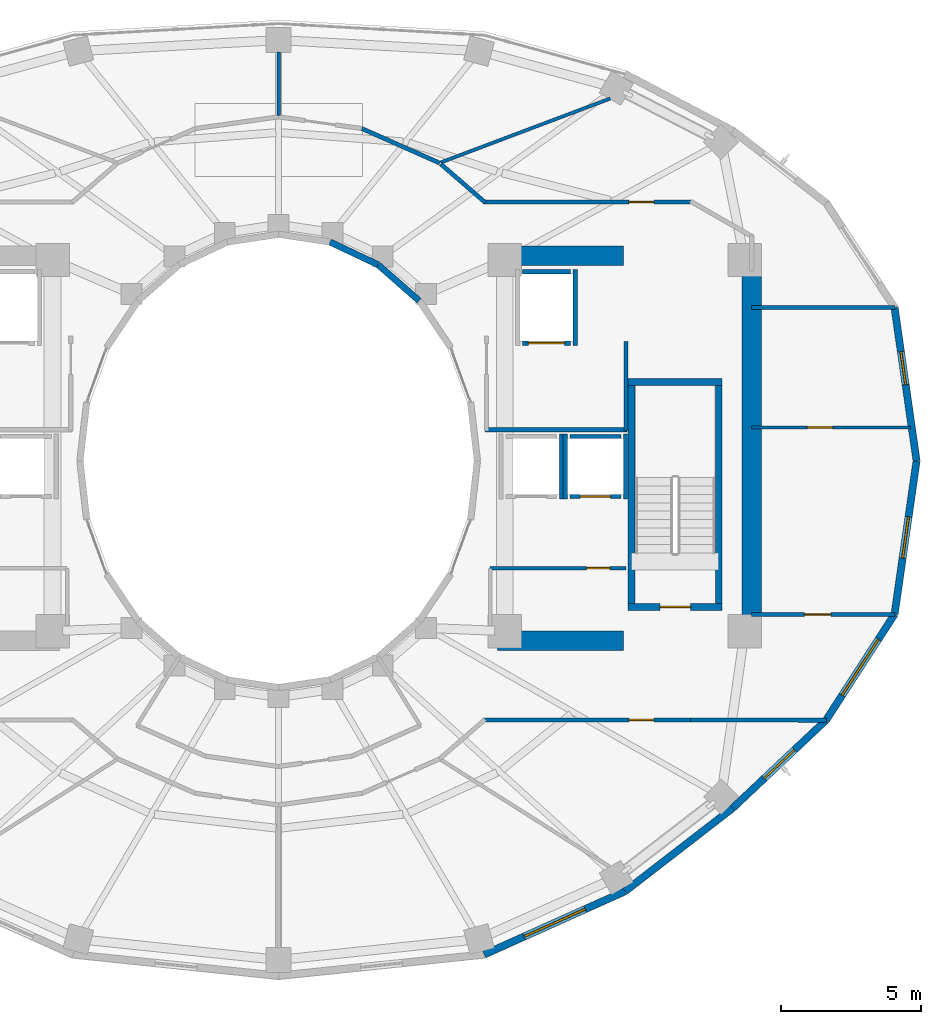
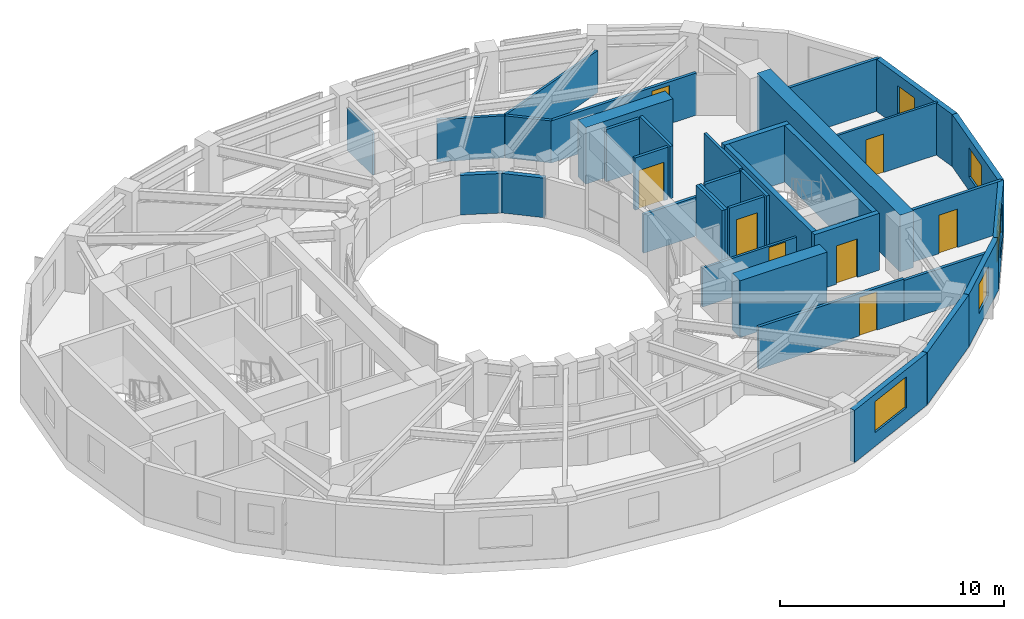
# One storey, part 16 of 20: 36 walls, 8 doors, 5 windows, 13 openings.
"""IFC4 building model written with IfcOpenShell, lengths in metres."""

from ifc_helpers import new_model, si_unit, direction, frame, frame_2d, origin, place, context, subcontext, project, spatial, rectangle, extrude, material, layer, layer_set, type_object, element, fill, save


model = new_model("IFC4")

# Units and contexts
model_context = context("Model", 3, precision=1e-05, world=origin(), true_north=direction((0.0, 1.0)))
body_context = subcontext(model_context, "Body", "Model", "MODEL_VIEW")
ifc_project = project(units=[si_unit("LENGTHUNIT", "METRE"), si_unit("AREAUNIT", "SQUARE_METRE"), si_unit("VOLUMEUNIT", "CUBIC_METRE"), si_unit("PLANEANGLEUNIT", "RADIAN"), si_unit("MASSUNIT", "GRAM", prefix="KILO")], contexts=[model_context])

# Site, building, storey
site_placement = place(None, origin())
site = spatial("IfcSite", under=ifc_project, at=site_placement, CompositionType="ELEMENT")
building_placement = place(site_placement, origin())
building = spatial("IfcBuilding", under=site, at=building_placement, Name="Solvane Sanctuary Tower", CompositionType="ELEMENT")
storey_placement = place(building_placement, frame((0.0, 0.0, 137.39990234375)))
storey = spatial("IfcBuildingStorey", under=building, at=storey_placement, Name="L41", CompositionType="ELEMENT", Elevation=137.39990234375)

# Walls
ifc_material_1 = material(Name="Concrete C60/75", Category="concrete")
ifc_layer_1 = layer(ifc_material_1, 0.699951171875, Name="Concrete C60/75")
ifc_layer_set_1 = layer_set([ifc_layer_1], Name="Concrete C60/75")
wall_type_1 = type_object("IfcWallType", Name="Wall W-CORE-700", PredefinedType="SHEAR", material=ifc_layer_set_1)
wall_1_placement = place(storey_placement, frame((48.949951171875, 17.050048828125, 0.0), z_axis=(0.0, 0.0, 1.0), x_axis=(0.0, 1.0, 0.0)))
element("IfcWall", 1, at=wall_1_placement, inside=storey, type_object=wall_type_1, Name="L41 Core Shear Wall EC-E", PredefinedType="SHEAR", context=body_context, shape_type="SweptSolid", body=[
    extrude(rectangle(XDim=12.800048828125, YDim=0.699951171875, at=frame_2d((6.39990234375, 0.0))), origin(), (0.0, 0.0, 1.0), 3.10009765625),
])
for number, where, z_axis, x_axis, name in (
    (2, (39.85009765625, 16.550048828125, 0.0), (0.0, 0.0, 1.0), (1.0, 0.0, 0.0), "L41 Core Shear Wall EC-S"),
    (3, (39.85009765625, 30.35009765625, 0.0), (0.0, 0.0, 1.0), (1.0, 0.0, 0.0), "L41 Core Shear Wall EC-N"),
):
    element("IfcWall", number, at=place(storey_placement, frame(where, z_axis=z_axis, x_axis=x_axis)), inside=storey, type_object=wall_type_1, Name=name, PredefinedType="SHEAR", context=body_context, shape_type="SweptSolid", body=[
        extrude(rectangle(XDim=4.5, YDim=0.699951171875, at=frame_2d((2.25, 0.0))), origin(), (0.0, 0.0, 1.0), 3.10009765625),
    ])
ifc_material_2 = material(Name="Acoustic Gypsum Partition Board")
ifc_layer_2 = layer(ifc_material_2, 0.14990234375, Name="Acoustic Gypsum Partition Board")
ifc_layer_set_2 = layer_set([ifc_layer_2], Name="Acoustic Gypsum Partition Board")
wall_type_2 = type_object("IfcWallType", Name="Wall W-CORR-150", PredefinedType="PARTITIONING", material=ifc_layer_set_2)
wall_2_placement = place(storey_placement, frame((39.39990234375, 24.1201171875, 0.0), z_axis=(0.0, 0.0, 1.0), x_axis=(1.0, 0.0, 0.0)))
element("IfcWall", 4, at=wall_2_placement, inside=storey, type_object=wall_type_2, Name="L41 East Firefighting Lobby South Wall", PredefinedType="PARTITIONING", context=body_context, shape_type="SweptSolid", body=[
    extrude(rectangle(XDim=5.080078125, YDim=0.14990234375, at=frame_2d((2.5400390625, 0.0))), origin(), (0.0, 0.0, 1.0), 2.1201171875),
])
wall_3_placement = place(storey_placement, frame((44.449951171875, 24.080078125, 0.0), z_axis=(0.0, 0.0, 1.0), x_axis=(0.0, 1.0, 0.0)))
element("IfcWall", 5, at=wall_3_placement, inside=storey, type_object=wall_type_2, Name="L41 East Firefighting Lobby East Wall", PredefinedType="PARTITIONING", context=body_context, shape_type="SweptSolid", body=[
    extrude(rectangle(XDim=3.199951171875, YDim=0.14990234375, at=frame_2d((1.60009765625, 0.0))), origin(), (0.0, 0.0, 1.0), 2.85498046875),
])

# Wall, opening, door
wall_4_placement = place(storey_placement, frame((48.949951171875, 17.4970703125, 0.0), z_axis=(0.0, 0.0, 1.0), x_axis=(1.0, 0.0, 0.0)))
wall_4 = element("IfcWall", 6, at=wall_4_placement, inside=storey, type_object=wall_type_2, Name="L41 East Shoulder South Wall", PredefinedType="PARTITIONING", context=body_context, shape_type="SweptSolid", body=[
    extrude(rectangle(XDim=5.14013671875, YDim=0.14990234375, at=frame_2d((2.570068359375, 0.0))), origin(), (0.0, 0.0, 1.0), 2.85498046875),
])
opening_1_placement = place(wall_4_placement, frame((1.888671875, 0.0, 0.0)))
opening_1 = element("IfcOpeningElement", 7, at=opening_1_placement, cuts=wall_4, Name="Opening D-L41-09", PredefinedType="OPENING", context=body_context, shape_type="SweptSolid", body=[
    extrude(rectangle(XDim=0.949951171875, YDim=2.10009765625, at=frame_2d((0.47509765625, 1.050048828125))), frame((0.0, 0.0849609375, 0.0), z_axis=(0.0, -1.0, 0.0), x_axis=(1.0, 0.0, 0.0)), (0.0, 0.0, 1.0), 0.169921875),
])
ifc_material_3 = material(Name="Engineered Tropical Hardwood", Category="wood")
door_type_1 = type_object("IfcDoorType", Name="Door D-ROOM-950", OperationType="NOTDEFINED", PredefinedType="DOOR", material=ifc_material_3)
door_1_placement = place(opening_1_placement, origin())
door_1 = element("IfcDoor", 8, at=door_1_placement, inside=storey, type_object=door_type_1, Name="L41 East Shoulder South Door", OperationType="SINGLE_SWING_LEFT", OverallHeight=2.10009765625, OverallWidth=0.949951171875, PredefinedType="DOOR", context=body_context, shape_type="SweptSolid", body=[
    extrude(rectangle(XDim=0.949951171875, YDim=2.10009765625, at=frame_2d((0.47509765625, 1.050048828125))), frame((0.0, 0.02490234375, 0.0), z_axis=(0.0, -1.0, 0.0), x_axis=(1.0, 0.0, 0.0)), (0.0, 0.0, 1.0), 0.050048828125),
])
fill(opening_1, door_1)

# Walls
wall_5_placement = place(storey_placement, frame((48.949951171875, 28.5029296875, 0.0), z_axis=(0.0, 0.0, 1.0), x_axis=(1.0, 0.0, 0.0)))
element("IfcWall", 9, at=wall_5_placement, inside=storey, type_object=wall_type_2, Name="L41 East Shoulder North Wall", PredefinedType="PARTITIONING", context=body_context, shape_type="SweptSolid", body=[
    extrude(rectangle(XDim=5.14013671875, YDim=0.14990234375, at=frame_2d((2.570068359375, 0.0))), origin(), (0.0, 0.0, 1.0), 2.85498046875),
])
wall_6_placement = place(storey_placement, frame((37.806640625, 33.64208984375, 0.0), z_axis=(0.0, 0.0, 1.0), x_axis=(0.756055312247, -0.654507727092, 0.0)))
element("IfcWall", 10, at=wall_6_placement, inside=storey, type_object=wall_type_2, Name="L41 NE Corner Throat Wall", PredefinedType="PARTITIONING", context=body_context, shape_type="SweptSolid", body=[
    extrude(rectangle(XDim=2.11083984375, YDim=0.14990234375, at=frame_2d((1.055419921875, 0.0))), origin(), (0.0, 0.0, 1.0), 2.299072265625),
])

# Wall, opening, door
wall_7_placement = place(storey_placement, frame((39.330078125, 32.280029296875, 0.0), z_axis=(0.0, 0.0, 1.0), x_axis=(1.0, 0.0, 0.0)))
wall_7 = element("IfcWall", 11, at=wall_7_placement, inside=storey, type_object=wall_type_2, Name="L41 NE Corner Corridor Wall", PredefinedType="PARTITIONING", context=body_context, shape_type="SweptSolid", body=[
    extrude(rectangle(XDim=7.52001953125, YDim=0.14990234375, at=frame_2d((3.760009765625, 0.0))), origin(), (0.0, 0.0, 1.0), 2.299072265625),
])
opening_2_placement = place(wall_7_placement, frame((5.219970703125, 0.0, 0.0)))
opening_2 = element("IfcOpeningElement", 12, at=opening_2_placement, cuts=wall_7, Name="Opening D-L41-11", PredefinedType="OPENING", context=body_context, shape_type="SweptSolid", body=[
    extrude(rectangle(XDim=0.89990234375, YDim=2.10009765625, at=frame_2d((0.449951171875, 1.050048828125))), frame((0.0, 0.0849609375, 0.0), z_axis=(0.0, -1.0, 0.0), x_axis=(1.0, 0.0, 0.0)), (0.0, 0.0, 1.0), 0.169921875),
])
door_type_2 = type_object("IfcDoorType", Name="Door D-WET-900", OperationType="NOTDEFINED", PredefinedType="DOOR", material=ifc_material_3)
door_2_placement = place(opening_2_placement, origin())
door_2 = element("IfcDoor", 13, at=door_2_placement, inside=storey, type_object=door_type_2, Name="L41 NE Corner Salon Door", OperationType="SINGLE_SWING_LEFT", OverallHeight=2.10009765625, OverallWidth=0.89990234375, PredefinedType="DOOR", context=body_context, shape_type="SweptSolid", body=[
    extrude(rectangle(XDim=0.89990234375, YDim=2.10009765625, at=frame_2d((0.449951171875, 1.050048828125))), frame((0.0, 0.02490234375, 0.0), z_axis=(0.0, -1.0, 0.0), x_axis=(1.0, 0.0, 0.0)), (0.0, 0.0, 1.0), 0.050048828125),
])
fill(opening_2, door_2)

wall_8_placement = place(storey_placement, frame((39.330078125, 13.719970703125, 0.0), z_axis=(0.0, 0.0, 1.0), x_axis=(1.0, 0.0, 0.0)))
wall_8 = element("IfcWall", 14, at=wall_8_placement, inside=storey, type_object=wall_type_2, Name="L41 SE Corner Corridor Wall", PredefinedType="PARTITIONING", context=body_context, shape_type="SweptSolid", body=[
    extrude(rectangle(XDim=7.52001953125, YDim=0.14990234375, at=frame_2d((3.760009765625, 0.0))), origin(), (0.0, 0.0, 1.0), 2.299072265625),
])
opening_3_placement = place(wall_8_placement, frame((5.219970703125, 0.0, 0.0)))
opening_3 = element("IfcOpeningElement", 15, at=opening_3_placement, cuts=wall_8, Name="Opening D-L41-16", PredefinedType="OPENING", context=body_context, shape_type="SweptSolid", body=[
    extrude(rectangle(XDim=0.89990234375, YDim=2.10009765625, at=frame_2d((0.449951171875, 1.050048828125))), frame((0.0, 0.0849609375, 0.0), z_axis=(0.0, -1.0, 0.0), x_axis=(1.0, 0.0, 0.0)), (0.0, 0.0, 1.0), 0.169921875),
])
door_3_placement = place(opening_3_placement, origin())
door_3 = element("IfcDoor", 16, at=door_3_placement, inside=storey, type_object=door_type_2, Name="L41 SE Corner Salon Door", OperationType="SINGLE_SWING_RIGHT", OverallHeight=2.10009765625, OverallWidth=0.89990234375, PredefinedType="DOOR", context=body_context, shape_type="SweptSolid", body=[
    extrude(rectangle(XDim=0.89990234375, YDim=2.10009765625, at=frame_2d((0.449951171875, 1.050048828125))), frame((0.0, 0.02490234375, 0.0), z_axis=(0.0, -1.0, 0.0), x_axis=(1.0, 0.0, 0.0)), (0.0, 0.0, 1.0), 0.050048828125),
])
fill(opening_3, door_3)

# Walls
wall_9_placement = place(storey_placement, frame((46.75, 13.72021484375, 0.0), z_axis=(0.0, 0.0, 1.0), x_axis=(0.999997122315, -0.00239903348, 0.0)))
element("IfcWall", 17, at=wall_9_placement, inside=storey, type_object=wall_type_2, Name="L41 SE Corner Wing Wall", PredefinedType="PARTITIONING", context=body_context, shape_type="SweptSolid", body=[
    extrude(rectangle(XDim=4.884765625, YDim=0.14990234375, at=frame_2d((2.4423828125, 0.0))), origin(), (0.0, 0.0, 1.0), 2.22021484375),
])
wall_10_placement = place(storey_placement, frame((37.77197265625, 33.673828125, 0.0), z_axis=(0.0, 0.0, 1.0), x_axis=(-0.914216890927, 0.405225216815, 0.0)))
element("IfcWall", 18, at=wall_10_placement, inside=storey, type_object=wall_type_2, Name="L41 Sky Promenade Corridor Wall N1", PredefinedType="PARTITIONING", context=body_context, shape_type="SweptSolid", body=[
    extrude(rectangle(XDim=3.051513671875, YDim=0.14990234375, at=frame_2d((1.52587890625, 0.0))), origin(), (0.0, 0.0, 1.0), 2.299072265625),
])

# Wall, opening, window
ifc_material_4 = material(Name="Precast concrete C40/50", Category="concrete")
ifc_layer_3 = layer(ifc_material_4, 0.260009765625, Name="Precast concrete C40/50")
ifc_layer_set_3 = layer_set([ifc_layer_3], Name="Precast concrete C40/50")
wall_type_3 = type_object("IfcWallType", Name="Wall W-EXT-250", PredefinedType="STANDARD", material=ifc_layer_set_3)
wall_11_placement = place(storey_placement, frame((54.860107421875, 23.0, 0.0), z_axis=(0.0, 0.0, 1.0), x_axis=(-0.142227632286, 0.989833976288, 0.0)))
wall_11 = element("IfcWall", 19, at=wall_11_placement, inside=storey, type_object=wall_type_3, Name="L41 Ceramic-Printed Facade Wall 00", PredefinedType="STANDARD", context=body_context, shape_type="SweptSolid", body=[
    extrude(rectangle(XDim=5.552978515625, YDim=0.260009765625, at=frame_2d((2.7763671875, 0.0))), origin(), (0.0, 0.0, 1.0), 2.85009765625),
])
opening_4_placement = place(wall_11_placement, frame((2.757568359375, 0.0, 0.75)))
opening_4 = element("IfcOpeningElement", 20, at=opening_4_placement, cuts=wall_11, Name="Opening WN-OPER-1200", PredefinedType="OPENING", context=body_context, shape_type="SweptSolid", body=[
    extrude(rectangle(XDim=1.199951171875, YDim=1.5, at=frame_2d((0.60009765625, 0.75))), frame((0.0, 0.139892578125, 0.0), z_axis=(0.0, -1.0, 0.0), x_axis=(1.0, 0.0, 0.0)), (0.0, 0.0, 1.0), 0.280029296875),
])
ifc_material_5 = material(Name="Dark Ceramic-Fritted Low-E Glass", Category="glass")
window_type_1 = type_object("IfcWindowType", Name="Window WN-OPER-1200", PartitioningType="SINGLE_PANEL", PredefinedType="WINDOW", material=ifc_material_5)
window_1_placement = place(opening_4_placement, origin())
window_1 = element("IfcWindow", 21, at=window_1_placement, inside=storey, type_object=window_type_1, Name="L41 Operable Facade Window 00", OverallHeight=1.5, OverallWidth=1.199951171875, PartitioningType="SINGLE_PANEL", PredefinedType="WINDOW", context=body_context, shape_type="SweptSolid", body=[
    extrude(rectangle(XDim=1.199951171875, YDim=1.5, at=frame_2d((0.60009765625, 0.75))), frame((0.0, 0.030029296875, 0.0), z_axis=(0.0, -1.0, 0.0), x_axis=(1.0, 0.0, 0.0)), (0.0, 0.0, 1.0), 0.06005859375),
])
fill(opening_4, window_1)

wall_12_placement = place(storey_placement, frame((39.365234375, 5.3154296875, 0.0), z_axis=(0.0, 0.0, 1.0), x_axis=(0.912353637112, 0.409403029847, 0.0)))
wall_12 = element("IfcWall", 22, at=wall_12_placement, inside=storey, type_object=wall_type_3, Name="L41 Ceramic-Printed Facade Wall 19", PredefinedType="STANDARD", context=body_context, shape_type="SweptSolid", body=[
    extrude(rectangle(XDim=5.53271484375, YDim=0.260009765625, at=frame_2d((2.766357421875, 0.0))), origin(), (0.0, 0.0, 1.0), 2.85009765625),
])
opening_5_placement = place(wall_12_placement, frame((1.56640625, 0.0, 0.75)))
opening_5 = element("IfcOpeningElement", 23, at=opening_5_placement, cuts=wall_12, Name="Opening WN-RIB-2400", PredefinedType="OPENING", context=body_context, shape_type="SweptSolid", body=[
    extrude(rectangle(XDim=2.39990234375, YDim=1.699951171875, at=frame_2d((1.199951171875, 0.85009765625))), frame((0.0, 0.139892578125, 0.0), z_axis=(0.0, -1.0, 0.0), x_axis=(1.0, 0.0, 0.0)), (0.0, 0.0, 1.0), 0.280029296875),
])
window_type_2 = type_object("IfcWindowType", Name="Window WN-RIB-2400", PartitioningType="SINGLE_PANEL", PredefinedType="WINDOW", material=ifc_material_5)
window_2_placement = place(opening_5_placement, origin())
window_2 = element("IfcWindow", 24, at=window_2_placement, inside=storey, type_object=window_type_2, Name="L41 Operable Facade Window 19", OverallHeight=1.699951171875, OverallWidth=2.39990234375, PartitioningType="SINGLE_PANEL", PredefinedType="WINDOW", context=body_context, shape_type="SweptSolid", body=[
    extrude(rectangle(XDim=2.39990234375, YDim=1.699951171875, at=frame_2d((1.199951171875, 0.85009765625))), frame((0.0, 0.030029296875, 0.0), z_axis=(0.0, -1.0, 0.0), x_axis=(1.0, 0.0, 0.0)), (0.0, 0.0, 1.0), 0.06005859375),
])
fill(opening_5, window_2)

# Wall
wall_13_placement = place(storey_placement, frame((44.4130859375, 7.58056640625, 0.0), z_axis=(0.0, 0.0, 1.0), x_axis=(0.791460185804, 0.611220724687, 0.0)))
element("IfcWall", 25, at=wall_13_placement, inside=storey, type_object=wall_type_3, Name="L41 Ceramic-Printed Facade Wall 20", PredefinedType="STANDARD", context=body_context, shape_type="SweptSolid", body=[
    extrude(rectangle(XDim=4.872314453125, YDim=0.260009765625, at=frame_2d((2.43603515625, 0.0))), origin(), (0.0, 0.0, 1.0), 2.85009765625),
])

# Wall, opening, window
wall_14_placement = place(storey_placement, frame((48.269287109375, 10.55859375, 0.0), z_axis=(0.0, 0.0, 1.0), x_axis=(0.727667301037, 0.68593024354, 0.0)))
wall_14 = element("IfcWall", 26, at=wall_14_placement, inside=storey, type_object=wall_type_3, Name="L41 Ceramic-Printed Facade Wall 21", PredefinedType="STANDARD", context=body_context, shape_type="SweptSolid", body=[
    extrude(rectangle(XDim=4.603515625, YDim=0.260009765625, at=frame_2d((2.3017578125, 0.0))), origin(), (0.0, 0.0, 1.0), 2.85009765625),
])
opening_6_placement = place(wall_14_placement, frame((1.5517578125, 0.0, 0.75)))
opening_6 = element("IfcOpeningElement", 27, at=opening_6_placement, cuts=wall_14, Name="Opening WN-OPER-1500", PredefinedType="OPENING", context=body_context, shape_type="SweptSolid", body=[
    extrude(rectangle(XDim=1.5, YDim=1.60009765625, at=frame_2d((0.75, 0.800048828125))), frame((0.0, 0.139892578125, 0.0), z_axis=(0.0, -1.0, 0.0), x_axis=(1.0, 0.0, 0.0)), (0.0, 0.0, 1.0), 0.280029296875),
])
window_type_3 = type_object("IfcWindowType", Name="Window WN-OPER-1500", PartitioningType="SINGLE_PANEL", PredefinedType="WINDOW", material=ifc_material_5)
window_3_placement = place(opening_6_placement, origin())
window_3 = element("IfcWindow", 28, at=window_3_placement, inside=storey, type_object=window_type_3, Name="L41 Operable Facade Window 21", OverallHeight=1.60009765625, OverallWidth=1.5, PartitioningType="SINGLE_PANEL", PredefinedType="WINDOW", context=body_context, shape_type="SweptSolid", body=[
    extrude(rectangle(XDim=1.5, YDim=1.60009765625, at=frame_2d((0.75, 0.800048828125))), frame((0.0, 0.030029296875, 0.0), z_axis=(0.0, -1.0, 0.0), x_axis=(1.0, 0.0, 0.0)), (0.0, 0.0, 1.0), 0.06005859375),
])
fill(opening_6, window_3)

wall_15_placement = place(storey_placement, frame((51.619140625, 13.71630859375, 0.0), z_axis=(0.0, 0.0, 1.0), x_axis=(0.543358984534, 0.839500454989, 0.0)))
wall_15 = element("IfcWall", 29, at=wall_15_placement, inside=storey, type_object=wall_type_3, Name="L41 Ceramic-Printed Facade Wall 22", PredefinedType="STANDARD", context=body_context, shape_type="SweptSolid", body=[
    extrude(rectangle(XDim=4.51123046875, YDim=0.260009765625, at=frame_2d((2.255615234375, 0.0))), origin(), (0.0, 0.0, 1.0), 2.85009765625),
])
opening_7_placement = place(wall_15_placement, frame((1.0556640625, 0.0, 0.75)))
opening_7 = element("IfcOpeningElement", 30, at=opening_7_placement, cuts=wall_15, Name="Opening WN-RIB-2400", PredefinedType="OPENING", context=body_context, shape_type="SweptSolid", body=[
    extrude(rectangle(XDim=2.39990234375, YDim=1.699951171875, at=frame_2d((1.199951171875, 0.85009765625))), frame((0.0, 0.139892578125, 0.0), z_axis=(0.0, -1.0, 0.0), x_axis=(1.0, 0.0, 0.0)), (0.0, 0.0, 1.0), 0.280029296875),
])
window_4_placement = place(opening_7_placement, origin())
window_4 = element("IfcWindow", 31, at=window_4_placement, inside=storey, type_object=window_type_2, Name="L41 Operable Facade Window 22", OverallHeight=1.699951171875, OverallWidth=2.39990234375, PartitioningType="SINGLE_PANEL", PredefinedType="WINDOW", context=body_context, shape_type="SweptSolid", body=[
    extrude(rectangle(XDim=2.39990234375, YDim=1.699951171875, at=frame_2d((1.199951171875, 0.85009765625))), frame((0.0, 0.030029296875, 0.0), z_axis=(0.0, -1.0, 0.0), x_axis=(1.0, 0.0, 0.0)), (0.0, 0.0, 1.0), 0.06005859375),
])
fill(opening_7, window_4)

wall_16_placement = place(storey_placement, frame((54.0703125, 17.50341796875, 0.0), z_axis=(0.0, 0.0, 1.0), x_axis=(0.142227632286, 0.989833976288, 0.0)))
wall_16 = element("IfcWall", 32, at=wall_16_placement, inside=storey, type_object=wall_type_3, Name="L41 Ceramic-Printed Facade Wall 23", PredefinedType="STANDARD", context=body_context, shape_type="SweptSolid", body=[
    extrude(rectangle(XDim=5.552978515625, YDim=0.260009765625, at=frame_2d((2.7763671875, 0.0))), origin(), (0.0, 0.0, 1.0), 2.85009765625),
])
opening_8_placement = place(wall_16_placement, frame((2.026611328125, 0.0, 0.75)))
opening_8 = element("IfcOpeningElement", 33, at=opening_8_placement, cuts=wall_16, Name="Opening WN-OPER-1500", PredefinedType="OPENING", context=body_context, shape_type="SweptSolid", body=[
    extrude(rectangle(XDim=1.5, YDim=1.60009765625, at=frame_2d((0.75, 0.800048828125))), frame((0.0, 0.139892578125, 0.0), z_axis=(0.0, -1.0, 0.0), x_axis=(1.0, 0.0, 0.0)), (0.0, 0.0, 1.0), 0.280029296875),
])
window_5_placement = place(opening_8_placement, origin())
window_5 = element("IfcWindow", 34, at=window_5_placement, inside=storey, type_object=window_type_3, Name="L41 Operable Facade Window 23", OverallHeight=1.60009765625, OverallWidth=1.5, PartitioningType="SINGLE_PANEL", PredefinedType="WINDOW", context=body_context, shape_type="SweptSolid", body=[
    extrude(rectangle(XDim=1.5, YDim=1.60009765625, at=frame_2d((0.75, 0.800048828125))), frame((0.0, 0.030029296875, 0.0), z_axis=(0.0, -1.0, 0.0), x_axis=(1.0, 0.0, 0.0)), (0.0, 0.0, 1.0), 0.06005859375),
])
fill(opening_8, window_5)

# Walls
ifc_layer_4 = layer(ifc_material_4, 0.22998046875, Name="Precast concrete C40/50")
ifc_layer_set_4 = layer_set([ifc_layer_4], Name="Precast concrete C40/50")
wall_type_4 = type_object("IfcWallType", Name="Wall W-EXT-SP220", PredefinedType="STANDARD", material=ifc_layer_set_4)
wall_17_placement = place(storey_placement, frame((37.03466796875, 28.74169921875, 0.0), z_axis=(0.0, 0.0, 1.0), x_axis=(-0.752576694707, 0.658504607869, 0.0)))
element("IfcWall", 35, at=wall_17_placement, inside=storey, type_object=wall_type_4, Name="L41 Central Light-Well Wall 03", PredefinedType="STANDARD", context=body_context, shape_type="SweptSolid", body=[
    extrude(rectangle(XDim=1.95947265625, YDim=0.22998046875, at=frame_2d((0.979736328125, 0.0))), origin(), (0.0, 0.0, 1.0), 2.16015625),
])
wall_18_placement = place(storey_placement, frame((35.56005859375, 30.031982421875, 0.0), z_axis=(0.0, 0.0, 1.0), x_axis=(-0.904179699603, 0.427152280606, 0.0)))
element("IfcWall", 36, at=wall_18_placement, inside=storey, type_object=wall_type_4, Name="L41 Central Light-Well Wall 04", PredefinedType="STANDARD", context=body_context, shape_type="SweptSolid", body=[
    extrude(rectangle(XDim=1.899169921875, YDim=0.22998046875, at=frame_2d((0.94970703125, 0.0))), origin(), (0.0, 0.0, 1.0), 2.16015625),
])

# Wall, opening, door
ifc_layer_5 = layer(ifc_material_2, 0.1201171875, Name="Acoustic Gypsum Partition Board")
ifc_layer_set_5 = layer_set([ifc_layer_5], Name="Acoustic Gypsum Partition Board")
wall_type_5 = type_object("IfcWallType", Name="Wall W-MOV-100", PredefinedType="MOVABLE", material=ifc_layer_set_5)
wall_19_placement = place(storey_placement, frame((48.949951171875, 24.199951171875, 0.0), z_axis=(0.0, 0.0, 1.0), x_axis=(1.0, 0.0, 0.0)))
wall_19 = element("IfcWall", 37, at=wall_19_placement, inside=storey, type_object=wall_type_5, Name="L41 East Suite Partition", PredefinedType="MOVABLE", context=body_context, shape_type="SweptSolid", body=[
    extrude(rectangle(XDim=5.69775390625, YDim=0.1201171875, at=frame_2d((2.848876953125, 0.0))), origin(), (0.0, 0.0, 1.0), 2.85498046875),
])
opening_9_placement = place(wall_19_placement, frame((2.0, 0.0, 0.0)))
opening_9 = element("IfcOpeningElement", 38, at=opening_9_placement, cuts=wall_19, Name="Opening D-L41-10", PredefinedType="OPENING", context=body_context, shape_type="SweptSolid", body=[
    extrude(rectangle(XDim=0.89990234375, YDim=2.10009765625, at=frame_2d((0.449951171875, 1.050048828125))), frame((0.0, 0.070068359375, 0.0), z_axis=(0.0, -1.0, 0.0), x_axis=(1.0, 0.0, 0.0)), (0.0, 0.0, 1.0), 0.14013671875),
])
door_4_placement = place(opening_9_placement, origin())
door_4 = element("IfcDoor", 39, at=door_4_placement, inside=storey, type_object=door_type_2, Name="L41 East Suite Internal Door", OperationType="SINGLE_SWING_RIGHT", OverallHeight=2.10009765625, OverallWidth=0.89990234375, PredefinedType="DOOR", context=body_context, shape_type="SweptSolid", body=[
    extrude(rectangle(XDim=0.89990234375, YDim=2.10009765625, at=frame_2d((0.449951171875, 1.050048828125))), frame((0.0, 0.02490234375, 0.0), z_axis=(0.0, -1.0, 0.0), x_axis=(1.0, 0.0, 0.0)), (0.0, 0.0, 1.0), 0.050048828125),
])
fill(opening_9, door_4)

# Walls
wall_20_placement = place(storey_placement, frame((37.81640625, 33.697509765625, 0.0), z_axis=(0.0, 0.0, 1.0), x_axis=(0.935601484289, 0.353057874288, 0.0)))
element("IfcWall", 40, at=wall_20_placement, inside=storey, type_object=wall_type_5, Name="L41 Sky Hall Radial Partition 060", PredefinedType="MOVABLE", context=body_context, shape_type="SweptSolid", body=[
    extrude(rectangle(XDim=6.484130859375, YDim=0.1201171875, at=frame_2d((3.2421875, 0.0))), origin(), (0.0, 0.0, 1.0), 2.299072265625),
])
wall_21_placement = place(storey_placement, frame((32.0, 35.385009765625, 0.0), z_axis=(0.0, 0.0, 1.0), x_axis=(0.0, 1.0, 0.0)))
element("IfcWall", 41, at=wall_21_placement, inside=storey, type_object=wall_type_5, Name="L41 Sky Hall Radial Partition 090", PredefinedType="MOVABLE", context=body_context, shape_type="SweptSolid", body=[
    extrude(rectangle(XDim=2.264892578125, YDim=0.1201171875, at=frame_2d((1.13232421875, 0.0))), origin(), (0.0, 0.0, 1.0), 2.299072265625),
])

# Wall, opening, door
ifc_layer_6 = layer(ifc_material_2, 0.125, Name="Acoustic Gypsum Partition Board")
ifc_layer_set_6 = layer_set([ifc_layer_6], Name="Acoustic Gypsum Partition Board")
wall_type_6 = type_object("IfcWallType", Name="Wall W-PART-125", PredefinedType="PARTITIONING", material=ifc_layer_set_6)
wall_22_placement = place(storey_placement, frame((39.580078125, 19.159912109375, 0.0), z_axis=(0.0, 0.0, 1.0), x_axis=(1.0, 0.0, 0.0)))
wall_22 = element("IfcWall", 42, at=wall_22_placement, inside=storey, type_object=wall_type_6, Name="L41 Reclaimed Room Partition PLE", PredefinedType="PARTITIONING", context=body_context, shape_type="SweptSolid", body=[
    extrude(rectangle(XDim=4.869873046875, YDim=0.125, at=frame_2d((2.43505859375, 0.0))), origin(), (0.0, 0.0, 1.0), 2.1201171875),
])
opening_10_placement = place(wall_22_placement, frame((3.449951171875, 0.0, 0.0)))
opening_10 = element("IfcOpeningElement", 43, at=opening_10_placement, cuts=wall_22, Name="Opening D-L41-07", PredefinedType="OPENING", context=body_context, shape_type="SweptSolid", body=[
    extrude(rectangle(XDim=0.85009765625, YDim=2.050048828125, at=frame_2d((0.425048828125, 1.02490234375))), frame((0.0, 0.072509765625, 0.0), z_axis=(0.0, -1.0, 0.0), x_axis=(1.0, 0.0, 0.0)), (0.0, 0.0, 1.0), 0.14501953125),
])
ifc_material_6 = material(Name="Architectural Stainless Steel 316", Category="steel")
door_type_3 = type_object("IfcDoorType", Name="Door D-RISER", OperationType="NOTDEFINED", PredefinedType="DOOR", material=ifc_material_6)
door_5_placement = place(opening_10_placement, origin())
door_5 = element("IfcDoor", 44, at=door_5_placement, inside=storey, type_object=door_type_3, Name="L41 Reclaimed Room Door PLE-1", OperationType="SINGLE_SWING_LEFT", OverallHeight=2.050048828125, OverallWidth=0.85009765625, PredefinedType="DOOR", context=body_context, shape_type="SweptSolid", body=[
    extrude(rectangle(XDim=0.85009765625, YDim=2.050048828125, at=frame_2d((0.425048828125, 1.02490234375))), frame((0.0, 0.02490234375, 0.0), z_axis=(0.0, -1.0, 0.0), x_axis=(1.0, 0.0, 0.0)), (0.0, 0.0, 1.0), 0.050048828125),
])
fill(opening_10, door_5)

ifc_material_7 = material(Name="Concrete C50/60", Category="concrete")
ifc_layer_7 = layer(ifc_material_7, 0.14990234375, Name="Concrete C50/60")
ifc_layer_set_7 = layer_set([ifc_layer_7], Name="Concrete C50/60")
wall_type_7 = type_object("IfcWallType", Name="Wall W-SHAFT-150", PredefinedType="SOLIDWALL", material=ifc_layer_set_7)
wall_23_placement = place(storey_placement, frame((42.43994140625, 21.719970703125, 0.0), z_axis=(0.0, 0.0, 1.0), x_axis=(1.0, 0.0, 0.0)))
wall_23 = element("IfcWall", 45, at=wall_23_placement, inside=storey, type_object=wall_type_7, Name="L41 PM-2 Lift Shaft Wall F", PredefinedType="SOLIDWALL", context=body_context, shape_type="SweptSolid", body=[
    extrude(rectangle(XDim=1.820068359375, YDim=0.14990234375, at=frame_2d((0.91015625, 0.0))), origin(), (0.0, 0.0, 1.0), 2.85498046875),
])
opening_11_placement = place(wall_23_placement, frame((0.360107421875, 0.0, 0.0)))
opening_11 = element("IfcOpeningElement", 46, at=opening_11_placement, cuts=wall_23, Name="Opening LD-L41-02", PredefinedType="OPENING", context=body_context, shape_type="SweptSolid", body=[
    extrude(rectangle(XDim=1.10009765625, YDim=2.10009765625, at=frame_2d((0.550048828125, 1.050048828125))), frame((0.0, 0.0849609375, 0.0), z_axis=(0.0, -1.0, 0.0), x_axis=(1.0, 0.0, 0.0)), (0.0, 0.0, 1.0), 0.169921875),
])
door_type_4 = type_object("IfcDoorType", Name="Door LD-PASS-1100", OperationType="NOTDEFINED", PredefinedType="DOOR", material=ifc_material_6)
door_6_placement = place(opening_11_placement, origin())
door_6 = element("IfcDoor", 47, at=door_6_placement, inside=storey, type_object=door_type_4, Name="L41 PM-2 Lift Landing Door", OperationType="DOUBLE_DOOR_SLIDING", OverallHeight=2.10009765625, OverallWidth=1.10009765625, PredefinedType="DOOR", context=body_context, shape_type="SweptSolid", body=[
    extrude(rectangle(XDim=1.10009765625, YDim=2.10009765625, at=frame_2d((0.550048828125, 1.050048828125))), frame((0.0, 0.02490234375, 0.0), z_axis=(0.0, -1.0, 0.0), x_axis=(1.0, 0.0, 0.0)), (0.0, 0.0, 1.0), 0.050048828125),
])
fill(opening_11, door_6)

# Walls
wall_24_placement = place(storey_placement, frame((42.43994140625, 23.8798828125, 0.0), z_axis=(0.0, 0.0, 1.0), x_axis=(1.0, 0.0, 0.0)))
element("IfcWall", 48, at=wall_24_placement, inside=storey, type_object=wall_type_7, Name="L41 PM-2 Lift Shaft Wall B", PredefinedType="SOLIDWALL", context=body_context, shape_type="SweptSolid", body=[
    extrude(rectangle(XDim=1.820068359375, YDim=0.14990234375, at=frame_2d((0.91015625, 0.0))), origin(), (0.0, 0.0, 1.0), 2.85498046875),
])
for number, where, z_axis, x_axis, name in (
    (49, (42.27001953125, 21.639892578125, 0.0), (0.0, 0.0, 1.0), (0.0, 1.0, 0.0), "L41 PM-2 Lift Shaft Wall S1"),
    (50, (44.429931640625, 21.639892578125, 0.0), (0.0, 0.0, 1.0), (0.0, 1.0, 0.0), "L41 PM-2 Lift Shaft Wall S2"),
    (51, (42.1298828125, 21.639892578125, 0.0), (0.0, 0.0, 1.0), (0.0, 1.0, 0.0), "L41 PH-2 Lift Shaft Wall S2"),
):
    element("IfcWall", number, at=place(storey_placement, frame(where, z_axis=z_axis, x_axis=x_axis)), inside=storey, type_object=wall_type_7, Name=name, PredefinedType="SOLIDWALL", context=body_context, shape_type="SweptSolid", body=[
        extrude(rectangle(XDim=2.320068359375, YDim=0.14990234375, at=frame_2d((1.16015625, 0.0))), origin(), (0.0, 0.0, 1.0), 2.85498046875),
    ])

# Wall, opening, door
wall_25_placement = place(storey_placement, frame((40.739990234375, 27.219970703125, 0.0), z_axis=(0.0, 0.0, 1.0), x_axis=(1.0, 0.0, 0.0)))
wall_25 = element("IfcWall", 52, at=wall_25_placement, inside=storey, type_object=wall_type_7, Name="L41 FFL-2 Lift Shaft Wall F", PredefinedType="SOLIDWALL", context=body_context, shape_type="SweptSolid", body=[
    extrude(rectangle(XDim=1.719970703125, YDim=0.14990234375, at=frame_2d((0.85986328125, 0.0))), origin(), (0.0, 0.0, 1.0), 2.85498046875),
])
opening_12_placement = place(wall_25_placement, frame((0.2099609375, 0.0, 0.0)))
opening_12 = element("IfcOpeningElement", 53, at=opening_12_placement, cuts=wall_25, Name="Opening LD-L41-07", PredefinedType="OPENING", context=body_context, shape_type="SweptSolid", body=[
    extrude(rectangle(XDim=1.300048828125, YDim=2.10009765625, at=frame_2d((0.64990234375, 1.050048828125))), frame((0.0, 0.0849609375, 0.0), z_axis=(0.0, -1.0, 0.0), x_axis=(1.0, 0.0, 0.0)), (0.0, 0.0, 1.0), 0.169921875),
])
door_type_5 = type_object("IfcDoorType", Name="Door LD-FFL-1300", OperationType="NOTDEFINED", PredefinedType="DOOR", material=ifc_material_6)
door_7_placement = place(opening_12_placement, origin())
door_7 = element("IfcDoor", 54, at=door_7_placement, inside=storey, type_object=door_type_5, Name="L41 FFL-2 Lift Landing Door", OperationType="DOUBLE_DOOR_SLIDING", OverallHeight=2.10009765625, OverallWidth=1.300048828125, PredefinedType="DOOR", context=body_context, shape_type="SweptSolid", body=[
    extrude(rectangle(XDim=1.300048828125, YDim=2.10009765625, at=frame_2d((0.64990234375, 1.050048828125))), frame((0.0, 0.02490234375, 0.0), z_axis=(0.0, -1.0, 0.0), x_axis=(1.0, 0.0, 0.0)), (0.0, 0.0, 1.0), 0.050048828125),
])
fill(opening_12, door_7)

# Walls
wall_26_placement = place(storey_placement, frame((40.739990234375, 29.780029296875, 0.0), z_axis=(0.0, 0.0, 1.0), x_axis=(1.0, 0.0, 0.0)))
element("IfcWall", 55, at=wall_26_placement, inside=storey, type_object=wall_type_7, Name="L41 FFL-2 Lift Shaft Wall B", PredefinedType="SOLIDWALL", context=body_context, shape_type="SweptSolid", body=[
    extrude(rectangle(XDim=1.719970703125, YDim=0.14990234375, at=frame_2d((0.85986328125, 0.0))), origin(), (0.0, 0.0, 1.0), 2.85498046875),
])
wall_27_placement = place(storey_placement, frame((42.6298828125, 27.139892578125, 0.0), z_axis=(0.0, 0.0, 1.0), x_axis=(0.0, 1.0, 0.0)))
element("IfcWall", 56, at=wall_27_placement, inside=storey, type_object=wall_type_7, Name="L41 FFL-2 Lift Shaft Wall S2", PredefinedType="SOLIDWALL", context=body_context, shape_type="SweptSolid", body=[
    extrude(rectangle(XDim=2.72021484375, YDim=0.14990234375, at=frame_2d((1.360107421875, 0.0))), origin(), (0.0, 0.0, 1.0), 2.85498046875),
])

# Wall, opening, door
ifc_layer_8 = layer(ifc_material_7, 0.25, Name="Concrete C50/60")
ifc_layer_set_8 = layer_set([ifc_layer_8], Name="Concrete C50/60")
wall_type_8 = type_object("IfcWallType", Name="Wall W-SHAFT-250", PredefinedType="SOLIDWALL", material=ifc_layer_set_8)
wall_28_placement = place(storey_placement, frame((44.52490234375, 17.77001953125, 0.0), z_axis=(0.0, 0.0, 1.0), x_axis=(1.0, 0.0, 0.0)))
wall_28 = element("IfcWall", 57, at=wall_28_placement, inside=storey, type_object=wall_type_8, Name="L41 ST-2 Load-Bearing Shaft Wall S", PredefinedType="SOLIDWALL", context=body_context, shape_type="SweptSolid", body=[
    extrude(rectangle(XDim=3.3701171875, YDim=0.25, at=frame_2d((1.68505859375, 0.0))), origin(), (0.0, 0.0, 1.0), 3.10009765625),
])
opening_13_placement = place(wall_28_placement, frame((1.135009765625, 0.0, 0.0)))
opening_13 = element("IfcOpeningElement", 58, at=opening_13_placement, cuts=wall_28, Name="Opening D-L41-02", PredefinedType="OPENING", context=body_context, shape_type="SweptSolid", body=[
    extrude(rectangle(XDim=1.10009765625, YDim=2.10009765625, at=frame_2d((0.550048828125, 1.050048828125))), frame((0.0, 0.135009765625, 0.0), z_axis=(0.0, -1.0, 0.0), x_axis=(1.0, 0.0, 0.0)), (0.0, 0.0, 1.0), 0.27001953125),
])
door_type_6 = type_object("IfcDoorType", Name="Door D-STAIR", OperationType="NOTDEFINED", PredefinedType="DOOR", material=ifc_material_6)
door_8_placement = place(opening_13_placement, origin())
door_8 = element("IfcDoor", 59, at=door_8_placement, inside=storey, type_object=door_type_6, Name="L41 ST-2 Exit Stair Fire Door", OperationType="SINGLE_SWING_RIGHT", OverallHeight=2.10009765625, OverallWidth=1.10009765625, PredefinedType="DOOR", context=body_context, shape_type="SweptSolid", body=[
    extrude(rectangle(XDim=1.10009765625, YDim=2.10009765625, at=frame_2d((0.550048828125, 1.050048828125))), frame((0.0, 0.02490234375, 0.0), z_axis=(0.0, -1.0, 0.0), x_axis=(1.0, 0.0, 0.0)), (0.0, 0.0, 1.0), 0.050048828125),
])
fill(opening_13, door_8)

# Walls
wall_29_placement = place(storey_placement, frame((44.52490234375, 25.830078125, 0.0), z_axis=(0.0, 0.0, 1.0), x_axis=(1.0, 0.0, 0.0)))
element("IfcWall", 60, at=wall_29_placement, inside=storey, type_object=wall_type_8, Name="L41 ST-2 Load-Bearing Shaft Wall N", PredefinedType="SOLIDWALL", context=body_context, shape_type="SweptSolid", body=[
    extrude(rectangle(XDim=3.3701171875, YDim=0.25, at=frame_2d((1.68505859375, 0.0))), origin(), (0.0, 0.0, 1.0), 3.10009765625),
])
for number, where, z_axis, x_axis, name in (
    (61, (44.64990234375, 17.89501953125, 0.0), (0.0, 0.0, 1.0), (0.0, 1.0, 0.0), "L41 ST-2 Load-Bearing Shaft Wall W"),
    (62, (47.77001953125, 17.89501953125, 0.0), (0.0, 0.0, 1.0), (0.0, 1.0, 0.0), "L41 ST-2 Load-Bearing Shaft Wall E"),
):
    element("IfcWall", number, at=place(storey_placement, frame(where, z_axis=z_axis, x_axis=x_axis)), inside=storey, type_object=wall_type_8, Name=name, PredefinedType="SOLIDWALL", context=body_context, shape_type="SweptSolid", body=[
        extrude(rectangle(XDim=7.81005859375, YDim=0.25, at=frame_2d((3.905029296875, 0.0))), origin(), (0.0, 0.0, 1.0), 3.10009765625),
    ])

save(model, "model.ifc")
